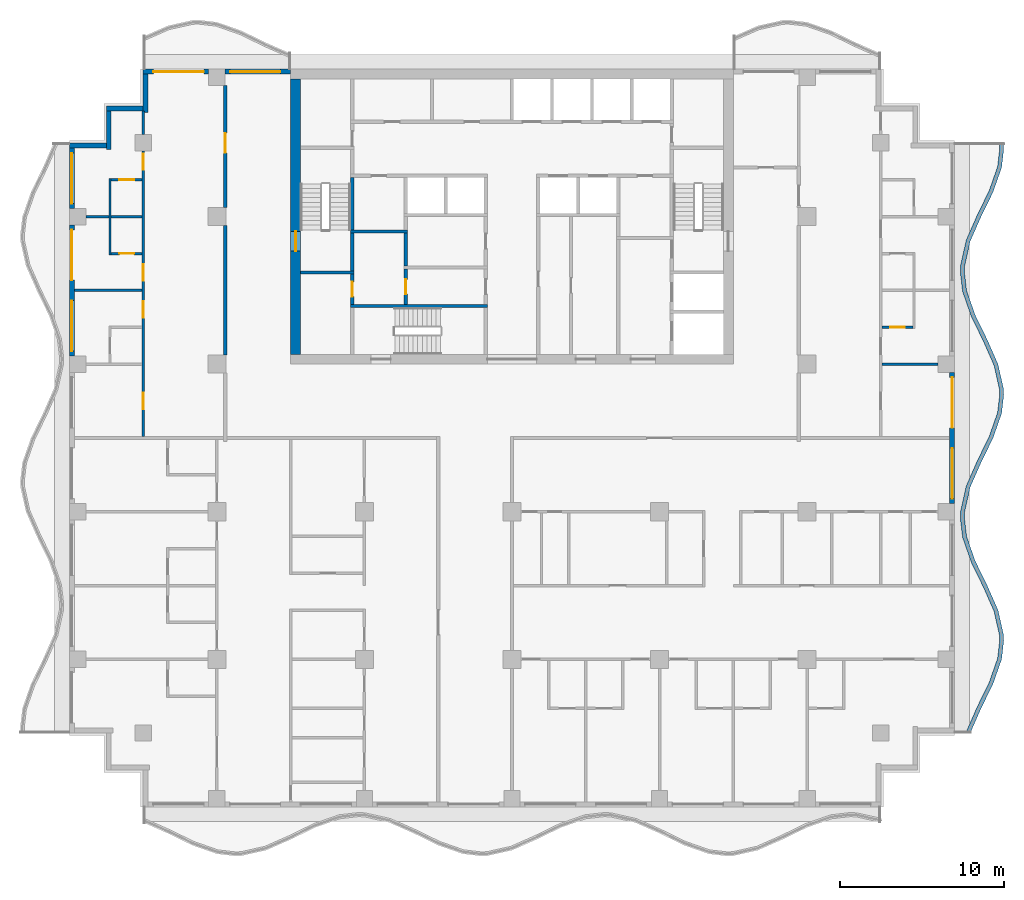
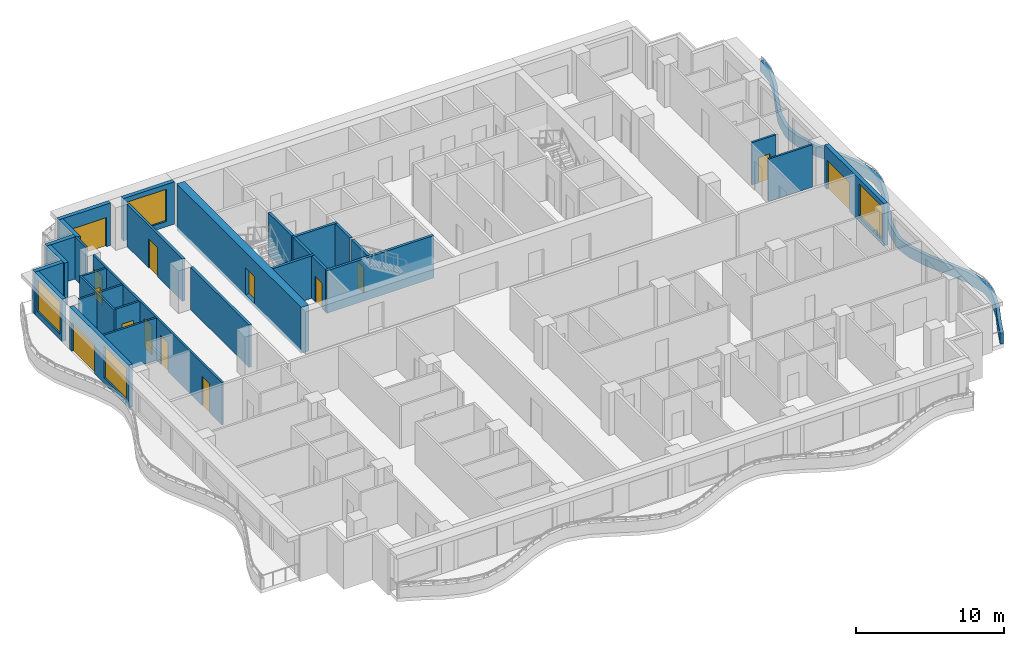
# One storey, part 5 of 12: 31 walls, 14 doors, 4 windows, 18 openings.
"""IFC4 building model written with IfcOpenShell, lengths in metres."""

from ifc_helpers import new_model, si_unit, direction, frame, frame_2d, origin, place, context, subcontext, project, spatial, polyline, rectangle, outline, extrude, material, layer, layer_set, type_object, element, fill, save


model = new_model("IFC4")

# Units and contexts
model_context = context("Model", 3, precision=1e-05, world=origin(), true_north=direction((0.0, 1.0)))
body_context = subcontext(model_context, "Body", "Model", "MODEL_VIEW")
ifc_project = project(units=[si_unit("LENGTHUNIT", "METRE"), si_unit("AREAUNIT", "SQUARE_METRE"), si_unit("VOLUMEUNIT", "CUBIC_METRE"), si_unit("PLANEANGLEUNIT", "RADIAN"), si_unit("MASSUNIT", "GRAM", prefix="KILO")], contexts=[model_context])

# Site, building, storey
site_placement = place(None, origin())
site = spatial("IfcSite", under=ifc_project, at=site_placement, CompositionType="ELEMENT")
building_placement = place(site_placement, origin())
building = spatial("IfcBuilding", under=site, at=building_placement, Name="Orbiselva Terraces", CompositionType="ELEMENT")
storey_placement = place(building_placement, frame((0.0, 0.0, 207.2)))
storey = spatial("IfcBuildingStorey", under=building, at=storey_placement, Name="L52", CompositionType="ELEMENT", Elevation=207.2)

# Wall, opening, door
ifc_material_1 = material(Name="Concrete C80/95", Category="concrete")
ifc_layer_1 = layer(ifc_material_1, 0.6)
ifc_layer_set_1 = layer_set([ifc_layer_1], Name="Concrete C80/95")
wall_type_1 = type_object("IfcWallType", Name="CORE WALL 600", PredefinedType="SHEAR", material=ifc_layer_set_1)
wall_1_placement = place(storey_placement, frame((-13.2, 21.9, -0.3), z_axis=(0.0, 0.0, 1.0), x_axis=(0.0, -1.0, 0.0)))
wall_1 = element("IfcWall", 1, at=wall_1_placement, inside=storey, type_object=wall_type_1, Name="Core wall L52 west", PredefinedType="SHEAR", context=body_context, shape_type="SweptSolid", body=[
    extrude(rectangle(XDim=16.8, YDim=0.6, at=frame_2d((8.4, 0.0))), origin(), (0.0, 0.0, 1.0), 3.8),
])
opening_1_placement = place(wall_1_placement, frame((9.3, 0.0, 0.3)))
opening_1 = element("IfcOpeningElement", 2, at=opening_1_placement, cuts=wall_1, Name="Opening DS1200", PredefinedType="OPENING", context=body_context, shape_type="SweptSolid", body=[
    extrude(rectangle(XDim=1.2, YDim=2.2, at=frame_2d((0.6, 1.1))), frame((0.0, 0.31, 0.0), z_axis=(0.0, -1.0, 0.0), x_axis=(1.0, 0.0, 0.0)), (0.0, 0.0, 1.0), 0.62),
])
ifc_material_2 = material(Name="Steel fire door", Category="steel")
door_type_1 = type_object("IfcDoorType", Name="STAIR DOOR 1200", OperationType="NOTDEFINED", PredefinedType="DOOR", material=ifc_material_2)
door_1_placement = place(opening_1_placement, frame((1.2, 0.0, 0.0), z_axis=(0.0, 0.0, 1.0), x_axis=(-1.0, 0.0, 0.0)))
door_1 = element("IfcDoor", 3, at=door_1_placement, inside=storey, type_object=door_type_1, Name="L52 EXIT STAIR S1 door", OperationType="SINGLE_SWING_RIGHT", OverallHeight=2.2, OverallWidth=1.2, PredefinedType="DOOR", context=body_context, shape_type="SweptSolid", body=[
    extrude(rectangle(XDim=1.2, YDim=2.2, at=frame_2d((0.6, 1.1))), frame((0.0, 0.025, 0.0), z_axis=(0.0, -1.0, 0.0), x_axis=(1.0, 0.0, 0.0)), (0.0, 0.0, 1.0), 0.05),
])
fill(opening_1, door_1)

ifc_material_3 = material(Name="Masonry blockwork", Category="masonry")
ifc_layer_2 = layer(ifc_material_3, 0.2)
ifc_layer_set_2 = layer_set([ifc_layer_2], Name="Masonry blockwork")
wall_type_2 = type_object("IfcWallType", Name="CORE-WALL-PARTITION-200", PredefinedType="PARTITIONING", material=ifc_layer_set_2)
wall_2_placement = place(storey_placement, frame((-9.75, 8.15, 0.0), z_axis=(0.0, 0.0, 1.0), x_axis=(0.0, 1.0, 0.0)))
wall_2 = element("IfcWall", 4, at=wall_2_placement, inside=storey, type_object=wall_type_2, Name="L52 core wall 05", PredefinedType="PARTITIONING", context=body_context, shape_type="SweptSolid", body=[
    extrude(rectangle(XDim=1.85, YDim=0.2, at=frame_2d((0.925, 0.0))), origin(), (0.0, 0.0, 1.0), 3.5),
])
opening_2_placement = place(wall_2_placement, frame((0.475, 0.0, 0.0)))
opening_2 = element("IfcOpeningElement", 5, at=opening_2_placement, cuts=wall_2, Name="Opening DR900", PredefinedType="OPENING", context=body_context, shape_type="SweptSolid", body=[
    extrude(rectangle(XDim=0.9, YDim=2.1, at=frame_2d((0.45, 1.05))), frame((0.0, 0.11, 0.0), z_axis=(0.0, -1.0, 0.0), x_axis=(1.0, 0.0, 0.0)), (0.0, 0.0, 1.0), 0.22),
])
door_type_2 = type_object("IfcDoorType", Name="ROOM DOOR 900", OperationType="NOTDEFINED", PredefinedType="DOOR", material=ifc_material_2)
door_2_placement = place(opening_2_placement, origin())
door_2 = element("IfcDoor", 6, at=door_2_placement, inside=storey, type_object=door_type_2, Name="L52 CLEANERS STORE door", OperationType="SINGLE_SWING_RIGHT", OverallHeight=2.1, OverallWidth=0.9, PredefinedType="DOOR", context=body_context, shape_type="SweptSolid", body=[
    extrude(rectangle(XDim=0.9, YDim=2.1, at=frame_2d((0.45, 1.05))), frame((0.0, 0.025, 0.0), z_axis=(0.0, -1.0, 0.0), x_axis=(1.0, 0.0, 0.0)), (0.0, 0.0, 1.0), 0.05),
])
fill(opening_2, door_2)

wall_3_placement = place(storey_placement, frame((-6.475, 8.15, 0.0), z_axis=(0.0, 0.0, 1.0), x_axis=(0.0, 1.0, 0.0)))
wall_3 = element("IfcWall", 7, at=wall_3_placement, inside=storey, type_object=wall_type_2, Name="L52 core wall 14", PredefinedType="PARTITIONING", context=body_context, shape_type="SweptSolid", body=[
    extrude(rectangle(XDim=2.15, YDim=0.2, at=frame_2d((1.075, 0.0))), origin(), (0.0, 0.0, 1.0), 3.5),
])
opening_3_placement = place(wall_3_placement, frame((0.625, 0.0, 0.0)))
opening_3 = element("IfcOpeningElement", 8, at=opening_3_placement, cuts=wall_3, Name="Opening DR900", PredefinedType="OPENING", context=body_context, shape_type="SweptSolid", body=[
    extrude(rectangle(XDim=0.9, YDim=2.1, at=frame_2d((0.45, 1.05))), frame((0.0, 0.11, 0.0), z_axis=(0.0, -1.0, 0.0), x_axis=(1.0, 0.0, 0.0)), (0.0, 0.0, 1.0), 0.22),
])
door_3_placement = place(opening_3_placement, origin())
door_3 = element("IfcDoor", 9, at=door_3_placement, inside=storey, type_object=door_type_2, Name="L52 STAFF ROOM door", OperationType="SINGLE_SWING_LEFT", OverallHeight=2.1, OverallWidth=0.9, PredefinedType="DOOR", context=body_context, shape_type="SweptSolid", body=[
    extrude(rectangle(XDim=0.9, YDim=2.1, at=frame_2d((0.45, 1.05))), frame((0.0, 0.025, 0.0), z_axis=(0.0, -1.0, 0.0), x_axis=(1.0, 0.0, 0.0)), (0.0, 0.0, 1.0), 0.05),
])
fill(opening_3, door_3)

# Walls
wall_4_placement = place(storey_placement, frame((-6.475, 10.5, 0.0), z_axis=(0.0, 0.0, 1.0), x_axis=(0.0, 1.0, 0.0)))
element("IfcWall", 10, at=wall_4_placement, inside=storey, type_object=wall_type_2, Name="L52 core wall 16", PredefinedType="PARTITIONING", context=body_context, shape_type="SweptSolid", body=[
    extrude(rectangle(XDim=2.0, YDim=0.2, at=frame_2d((1.0, 0.0))), origin(), (0.0, 0.0, 1.0), 3.5),
])
ifc_material_4 = material(Name="Concrete C60/75", Category="concrete")
ifc_layer_3 = layer(ifc_material_4, 0.2)
ifc_layer_set_3 = layer_set([ifc_layer_3], Name="Concrete C60/75")
wall_type_3 = type_object("IfcWallType", Name="CORE-WALL-SHEAR-200", PredefinedType="SHEAR", material=ifc_layer_set_3)
wall_5_placement = place(storey_placement, frame((-12.9, 10.1, 0.0), z_axis=(0.0, 0.0, 1.0), x_axis=(1.0, 0.0, 0.0)))
element("IfcWall", 11, at=wall_5_placement, inside=storey, type_object=wall_type_3, Name="L52 core wall 01", PredefinedType="SHEAR", context=body_context, shape_type="SweptSolid", body=[
    extrude(rectangle(XDim=3.25, YDim=0.2, at=frame_2d((1.625, 0.0))), origin(), (0.0, 0.0, 1.0), 3.5),
])
wall_6_placement = place(storey_placement, frame((-9.85, 8.05, 0.0), z_axis=(0.0, 0.0, 1.0), x_axis=(1.0, 0.0, 0.0)))
element("IfcWall", 12, at=wall_6_placement, inside=storey, type_object=wall_type_3, Name="L52 core wall 04", PredefinedType="SHEAR", context=body_context, shape_type="SweptSolid", body=[
    extrude(rectangle(XDim=8.35, YDim=0.2, at=frame_2d((4.175, 0.0))), origin(), (0.0, 0.0, 1.0), 3.5),
])
wall_7_placement = place(storey_placement, frame((-9.75, 10.2, 0.0), z_axis=(0.0, 0.0, 1.0), x_axis=(0.0, 1.0, 0.0)))
element("IfcWall", 13, at=wall_7_placement, inside=storey, type_object=wall_type_3, Name="L52 core wall 06", PredefinedType="SHEAR", context=body_context, shape_type="SweptSolid", body=[
    extrude(rectangle(XDim=2.3, YDim=0.2, at=frame_2d((1.15, 0.0))), origin(), (0.0, 0.0, 1.0), 3.5),
])
wall_8_placement = place(storey_placement, frame((-9.85, 12.6, 0.0), z_axis=(0.0, 0.0, 1.0), x_axis=(1.0, 0.0, 0.0)))
element("IfcWall", 14, at=wall_8_placement, inside=storey, type_object=wall_type_3, Name="L52 core wall 07", PredefinedType="SHEAR", context=body_context, shape_type="SweptSolid", body=[
    extrude(rectangle(XDim=3.475, YDim=0.2, at=frame_2d((1.7375, 0.0))), origin(), (0.0, 0.0, 1.0), 3.5),
])
wall_9_placement = place(storey_placement, frame((-9.75, 12.7, 0.0), z_axis=(0.0, 0.0, 1.0), x_axis=(0.0, 1.0, 0.0)))
element("IfcWall", 15, at=wall_9_placement, inside=storey, type_object=wall_type_3, Name="L52 core wall 08", PredefinedType="SHEAR", context=body_context, shape_type="SweptSolid", body=[
    extrude(rectangle(XDim=3.2, YDim=0.2, at=frame_2d((1.6, 0.0))), origin(), (0.0, 0.0, 1.0), 3.5),
])
ifc_material_5 = material(Name="Concrete C40/50", Category="concrete")
ifc_layer_4 = layer(ifc_material_5, 0.25)
ifc_layer_set_4 = layer_set([ifc_layer_4], Name="Concrete C40/50")
wall_type_4 = type_object("IfcWallType", Name="ENV-PLANTER-250x900", PredefinedType="USERDEFINED", material=ifc_layer_set_4)
wall_10_placement = place(storey_placement, origin())
element("IfcWall", 16, at=wall_10_placement, inside=storey, type_object=wall_type_4, Name="Balcony planter L52 E", ObjectType="PLANTER", PredefinedType="USERDEFINED", context=body_context, shape_type="SweptSolid", body=[
    extrude(outline(polyline([(27.951472, -18.0), (28.612279, -16.5), (29.344789, -15.0), (29.869208, -13.5), (30.0, -12.375), (29.985226, -12.0), (29.648528, -10.5), (28.987721, -9.0), (28.255211, -7.5), (27.730792, -6.0), (27.6, -4.875), (27.614774, -4.5), (27.951472, -3.0), (28.612279, -1.5), (29.344789, 0.0), (29.869208, 1.5), (30.0, 2.625), (29.985226, 3.0), (29.648528, 4.5), (28.987721, 6.0), (28.255211, 7.5), (27.730792, 9.0), (27.6, 10.125), (27.614774, 10.5), (27.951472, 12.0), (28.612279, 13.5), (29.344789, 15.0), (29.869208, 16.5), (30.0, 17.625), (29.985226, 18.0), (29.73542, 17.990158), (29.749429, 17.634572), (29.624078, 16.556371), (29.113667, 15.09644), (28.385477, 13.605286), (27.712874, 12.078508), (27.365863, 10.532565), (27.349429, 10.115428), (27.485662, 8.943629), (28.024089, 7.40356), (28.760919, 5.894714), (29.40993, 4.421492), (29.736315, 2.967435), (29.749429, 2.634572), (29.624078, 1.556371), (29.113667, 0.09644), (28.385477, -1.394714), (27.712874, -2.921492), (27.365863, -4.467435), (27.349429, -4.884572), (27.485662, -6.056371), (28.024089, -7.59644), (28.760919, -9.105286), (29.40993, -10.578508), (29.736315, -12.032565), (29.749429, -12.365428), (29.624078, -13.443629), (29.113667, -14.90356), (28.385477, -16.394714), (27.722689, -17.899212), (27.951472, -18.0)])), origin(), (0.0, 0.0, 1.0), 0.9),
])

# Wall, openings, door, window
ifc_material_6 = material(Name="Terracotta cladding on masonry backing", Category="masonry")
ifc_layer_5 = layer(ifc_material_6, 0.3)
ifc_layer_set_5 = layer_set([ifc_layer_5], Name="Terracotta cladding on masonry backing")
wall_type_5 = type_object("IfcWallType", Name="ENV-WALL-TERRACOTTA-300", PredefinedType="SOLIDWALL", material=ifc_layer_set_5)
wall_11_placement = place(storey_placement, frame((26.85, 4.0, 0.0), z_axis=(0.0, 0.0, 1.0), x_axis=(0.0, -1.0, 0.0)))
wall_11 = element("IfcWall", 17, at=wall_11_placement, inside=storey, type_object=wall_type_5, Name="Facade wall L52 E", PredefinedType="SOLIDWALL", context=body_context, shape_type="SweptSolid", body=[
    extrude(rectangle(XDim=8.0, YDim=0.3, at=frame_2d((4.0, 0.0))), origin(), (0.0, 0.0, 1.0), 3.5),
])
opening_4_placement = place(wall_11_placement, frame((4.625, 0.0, 0.45)))
opening_4 = element("IfcOpeningElement", 18, at=opening_4_placement, cuts=wall_11, Name="Opening WN15", PredefinedType="OPENING", context=body_context, shape_type="SweptSolid", body=[
    extrude(rectangle(XDim=3.075, YDim=2.65, at=frame_2d((1.5375, 1.325))), frame((0.0, 0.16, 0.0), z_axis=(0.0, -1.0, 0.0), x_axis=(1.0, 0.0, 0.0)), (0.0, 0.0, 1.0), 0.32),
])
opening_5_placement = place(wall_11_placement, frame((0.3, 0.0, 0.0)))
opening_5 = element("IfcOpeningElement", 19, at=opening_5_placement, cuts=wall_11, Name="Opening Z4-C-E06", PredefinedType="OPENING", context=body_context, shape_type="SweptSolid", body=[
    extrude(rectangle(XDim=3.075, YDim=2.4, at=frame_2d((1.5375, 1.2))), frame((0.0, 0.16, 0.0), z_axis=(0.0, -1.0, 0.0), x_axis=(1.0, 0.0, 0.0)), (0.0, 0.0, 1.0), 0.32),
])
ifc_material_7 = material(Name="Clear low-e glazing in aluminium frame", Category="aluminium")
door_type_3 = type_object("IfcDoorType", Name="BALCONY DOOR 3075 X 2400", OperationType="DOUBLE_DOOR_SLIDING", PredefinedType="DOOR", material=ifc_material_7)
door_4_placement = place(opening_5_placement, origin())
door_4 = element("IfcDoor", 20, at=door_4_placement, inside=storey, type_object=door_type_3, Name="Z4-C-E06", OperationType="SINGLE_SWING_LEFT", OverallHeight=2.4, OverallWidth=3.075, PredefinedType="DOOR", context=body_context, shape_type="SweptSolid", body=[
    extrude(rectangle(XDim=3.075, YDim=2.4, at=frame_2d((1.5375, 1.2))), frame((0.0, 0.025, 0.0), z_axis=(0.0, -1.0, 0.0), x_axis=(1.0, 0.0, 0.0)), (0.0, 0.0, 1.0), 0.05),
])
fill(opening_5, door_4)
window_type = type_object("IfcWindowType", Name="WINDOW 3075 X 2650 S450", PartitioningType="TRIPLE_PANEL_VERTICAL", PredefinedType="WINDOW", material=ifc_material_7)
window_1_placement = place(opening_4_placement, origin())
window_1 = element("IfcWindow", 21, at=window_1_placement, inside=storey, type_object=window_type, Name="Window L52 E", OverallHeight=2.65, OverallWidth=3.075, PartitioningType="SINGLE_PANEL", PredefinedType="WINDOW", context=body_context, shape_type="SweptSolid", body=[
    extrude(rectangle(XDim=3.075, YDim=2.65, at=frame_2d((1.5375, 1.325))), frame((0.0, 0.03, 0.0), z_axis=(0.0, -1.0, 0.0), x_axis=(1.0, 0.0, 0.0)), (0.0, 0.0, 1.0), 0.06),
])
fill(opening_4, window_1)

# Wall, opening, window
wall_12_placement = place(storey_placement, frame((-17.5, 22.35, 0.0), z_axis=(0.0, 0.0, 1.0), x_axis=(1.0, 0.0, 0.0)))
wall_12 = element("IfcWall", 22, at=wall_12_placement, inside=storey, type_object=wall_type_5, Name="Facade wall L52 NW", PredefinedType="SOLIDWALL", context=body_context, shape_type="SweptSolid", body=[
    extrude(rectangle(XDim=4.0, YDim=0.3, at=frame_2d((2.0, 0.0))), origin(), (0.0, 0.0, 1.0), 3.5),
])
opening_6_placement = place(wall_12_placement, frame((0.3, 0.0, 0.45)))
opening_6 = element("IfcOpeningElement", 23, at=opening_6_placement, cuts=wall_12, Name="Opening WN15", PredefinedType="OPENING", context=body_context, shape_type="SweptSolid", body=[
    extrude(rectangle(XDim=3.075, YDim=2.65, at=frame_2d((1.5375, 1.325))), frame((0.0, 0.16, 0.0), z_axis=(0.0, -1.0, 0.0), x_axis=(1.0, 0.0, 0.0)), (0.0, 0.0, 1.0), 0.32),
])
window_2_placement = place(opening_6_placement, origin())
window_2 = element("IfcWindow", 24, at=window_2_placement, inside=storey, type_object=window_type, Name="Window L52 NW", OverallHeight=2.65, OverallWidth=3.075, PartitioningType="SINGLE_PANEL", PredefinedType="WINDOW", context=body_context, shape_type="SweptSolid", body=[
    extrude(rectangle(XDim=3.075, YDim=2.65, at=frame_2d((1.5375, 1.325))), frame((0.0, 0.03, 0.0), z_axis=(0.0, -1.0, 0.0), x_axis=(1.0, 0.0, 0.0)), (0.0, 0.0, 1.0), 0.06),
])
fill(opening_6, window_2)

# Wall, opening, door
wall_13_placement = place(storey_placement, frame((-22.5, 22.35, 0.0), z_axis=(0.0, 0.0, 1.0), x_axis=(1.0, 0.0, 0.0)))
wall_13 = element("IfcWall", 25, at=wall_13_placement, inside=storey, type_object=wall_type_5, Name="Facade wall L52 NW", PredefinedType="SOLIDWALL", context=body_context, shape_type="SweptSolid", body=[
    extrude(rectangle(XDim=4.0, YDim=0.3, at=frame_2d((2.0, 0.0))), origin(), (0.0, 0.0, 1.0), 3.5),
])
opening_7_placement = place(wall_13_placement, frame((0.625, 0.0, 0.0)))
opening_7 = element("IfcOpeningElement", 26, at=opening_7_placement, cuts=wall_13, Name="Opening Z4-C-E09", PredefinedType="OPENING", context=body_context, shape_type="SweptSolid", body=[
    extrude(rectangle(XDim=3.075, YDim=2.4, at=frame_2d((1.5375, 1.2))), frame((0.0, 0.16, 0.0), z_axis=(0.0, -1.0, 0.0), x_axis=(1.0, 0.0, 0.0)), (0.0, 0.0, 1.0), 0.32),
])
door_5_placement = place(opening_7_placement, origin())
door_5 = element("IfcDoor", 27, at=door_5_placement, inside=storey, type_object=door_type_3, Name="Z4-C-E09", OperationType="SINGLE_SWING_LEFT", OverallHeight=2.4, OverallWidth=3.075, PredefinedType="DOOR", context=body_context, shape_type="SweptSolid", body=[
    extrude(rectangle(XDim=3.075, YDim=2.4, at=frame_2d((1.5375, 1.2))), frame((0.0, 0.025, 0.0), z_axis=(0.0, -1.0, 0.0), x_axis=(1.0, 0.0, 0.0)), (0.0, 0.0, 1.0), 0.05),
])
fill(opening_7, door_5)

# Walls
wall_14_placement = place(storey_placement, frame((-22.35, 19.85, 0.0), z_axis=(0.0, 0.0, 1.0), x_axis=(0.0, 1.0, 0.0)))
element("IfcWall", 28, at=wall_14_placement, inside=storey, type_object=wall_type_5, Name="Facade wall L52 STEP", PredefinedType="SOLIDWALL", context=body_context, shape_type="SweptSolid", body=[
    extrude(rectangle(XDim=2.35, YDim=0.3, at=frame_2d((1.175, 0.0))), origin(), (0.0, 0.0, 1.0), 3.5),
])
wall_15_placement = place(storey_placement, frame((-24.75, 20.1, 0.0), z_axis=(0.0, 0.0, 1.0), x_axis=(1.0, 0.0, 0.0)))
element("IfcWall", 29, at=wall_15_placement, inside=storey, type_object=wall_type_5, Name="Facade wall L52 STEP", PredefinedType="SOLIDWALL", context=body_context, shape_type="SweptSolid", body=[
    extrude(rectangle(XDim=2.25, YDim=0.3, at=frame_2d((1.125, 0.0))), origin(), (0.0, 0.0, 1.0), 3.5),
])
wall_16_placement = place(storey_placement, frame((-24.6, 17.6, 0.0), z_axis=(0.0, 0.0, 1.0), x_axis=(0.0, 1.0, 0.0)))
element("IfcWall", 30, at=wall_16_placement, inside=storey, type_object=wall_type_5, Name="Facade wall L52 STEP", PredefinedType="SOLIDWALL", context=body_context, shape_type="SweptSolid", body=[
    extrude(rectangle(XDim=2.35, YDim=0.3, at=frame_2d((1.175, 0.0))), origin(), (0.0, 0.0, 1.0), 3.5),
])
wall_17_placement = place(storey_placement, frame((-27.0, 17.85, 0.0), z_axis=(0.0, 0.0, 1.0), x_axis=(1.0, 0.0, 0.0)))
element("IfcWall", 31, at=wall_17_placement, inside=storey, type_object=wall_type_5, Name="Facade wall L52 STEP", PredefinedType="SOLIDWALL", context=body_context, shape_type="SweptSolid", body=[
    extrude(rectangle(XDim=2.25, YDim=0.3, at=frame_2d((1.125, 0.0))), origin(), (0.0, 0.0, 1.0), 3.5),
])

# Wall, opening, window
wall_18_placement = place(storey_placement, frame((-26.85, 14.0, 0.0), z_axis=(0.0, 0.0, 1.0), x_axis=(0.0, 1.0, 0.0)))
wall_18 = element("IfcWall", 32, at=wall_18_placement, inside=storey, type_object=wall_type_5, Name="Facade wall L52 W", PredefinedType="SOLIDWALL", context=body_context, shape_type="SweptSolid", body=[
    extrude(rectangle(XDim=3.7, YDim=0.3, at=frame_2d((1.85, 0.0))), origin(), (0.0, 0.0, 1.0), 3.5),
])
opening_8_placement = place(wall_18_placement, frame((0.3, 0.0, 0.45)))
opening_8 = element("IfcOpeningElement", 33, at=opening_8_placement, cuts=wall_18, Name="Opening WN15", PredefinedType="OPENING", context=body_context, shape_type="SweptSolid", body=[
    extrude(rectangle(XDim=3.075, YDim=2.65, at=frame_2d((1.5375, 1.325))), frame((0.0, 0.16, 0.0), z_axis=(0.0, -1.0, 0.0), x_axis=(1.0, 0.0, 0.0)), (0.0, 0.0, 1.0), 0.32),
])
window_3_placement = place(opening_8_placement, origin())
window_3 = element("IfcWindow", 34, at=window_3_placement, inside=storey, type_object=window_type, Name="Window L52 W", OverallHeight=2.65, OverallWidth=3.075, PartitioningType="SINGLE_PANEL", PredefinedType="WINDOW", context=body_context, shape_type="SweptSolid", body=[
    extrude(rectangle(XDim=3.075, YDim=2.65, at=frame_2d((1.5375, 1.325))), frame((0.0, 0.03, 0.0), z_axis=(0.0, -1.0, 0.0), x_axis=(1.0, 0.0, 0.0)), (0.0, 0.0, 1.0), 0.06),
])
fill(opening_8, window_3)

# Wall, openings, door, window
wall_19_placement = place(storey_placement, frame((-26.85, 5.0, 0.0), z_axis=(0.0, 0.0, 1.0), x_axis=(0.0, 1.0, 0.0)))
wall_19 = element("IfcWall", 35, at=wall_19_placement, inside=storey, type_object=wall_type_5, Name="Facade wall L52 W", PredefinedType="SOLIDWALL", context=body_context, shape_type="SweptSolid", body=[
    extrude(rectangle(XDim=8.0, YDim=0.3, at=frame_2d((4.0, 0.0))), origin(), (0.0, 0.0, 1.0), 3.5),
])
opening_9_placement = place(wall_19_placement, frame((4.625, 0.0, 0.0)))
opening_9 = element("IfcOpeningElement", 36, at=opening_9_placement, cuts=wall_19, Name="Opening Z4-C-E10", PredefinedType="OPENING", context=body_context, shape_type="SweptSolid", body=[
    extrude(rectangle(XDim=3.075, YDim=2.4, at=frame_2d((1.5375, 1.2))), frame((0.0, 0.16, 0.0), z_axis=(0.0, -1.0, 0.0), x_axis=(1.0, 0.0, 0.0)), (0.0, 0.0, 1.0), 0.32),
])
opening_10_placement = place(wall_19_placement, frame((0.3, 0.0, 0.45)))
opening_10 = element("IfcOpeningElement", 37, at=opening_10_placement, cuts=wall_19, Name="Opening WN15", PredefinedType="OPENING", context=body_context, shape_type="SweptSolid", body=[
    extrude(rectangle(XDim=3.075, YDim=2.65, at=frame_2d((1.5375, 1.325))), frame((0.0, 0.16, 0.0), z_axis=(0.0, -1.0, 0.0), x_axis=(1.0, 0.0, 0.0)), (0.0, 0.0, 1.0), 0.32),
])
door_6_placement = place(opening_9_placement, origin())
door_6 = element("IfcDoor", 38, at=door_6_placement, inside=storey, type_object=door_type_3, Name="Z4-C-E10", OperationType="SINGLE_SWING_LEFT", OverallHeight=2.4, OverallWidth=3.075, PredefinedType="DOOR", context=body_context, shape_type="SweptSolid", body=[
    extrude(rectangle(XDim=3.075, YDim=2.4, at=frame_2d((1.5375, 1.2))), frame((0.0, 0.025, 0.0), z_axis=(0.0, -1.0, 0.0), x_axis=(1.0, 0.0, 0.0)), (0.0, 0.0, 1.0), 0.05),
])
fill(opening_9, door_6)
window_4_placement = place(opening_10_placement, origin())
window_4 = element("IfcWindow", 39, at=window_4_placement, inside=storey, type_object=window_type, Name="Window L52 W", OverallHeight=2.65, OverallWidth=3.075, PartitioningType="SINGLE_PANEL", PredefinedType="WINDOW", context=body_context, shape_type="SweptSolid", body=[
    extrude(rectangle(XDim=3.075, YDim=2.65, at=frame_2d((1.5375, 1.325))), frame((0.0, 0.03, 0.0), z_axis=(0.0, -1.0, 0.0), x_axis=(1.0, 0.0, 0.0)), (0.0, 0.0, 1.0), 0.06),
])
fill(opening_10, window_4)

# Wall
ifc_material_8 = material(Name="Plasterboard on steel stud partition", Category="steel")
ifc_layer_6 = layer(ifc_material_8, 0.2)
ifc_layer_set_6 = layer_set([ifc_layer_6], Name="Plasterboard on steel stud partition")
wall_type_6 = type_object("IfcWallType", Name="UNIT-ENTRANCE-WALL-200", PredefinedType="PARTITIONING", material=ifc_layer_set_6)
wall_20_placement = place(storey_placement, frame((-17.5, 5.05, 0.0), z_axis=(0.0, 0.0, 1.0), x_axis=(0.0, 1.0, 0.0)))
element("IfcWall", 40, at=wall_20_placement, inside=storey, type_object=wall_type_6, Name="PARTITION L52-060", PredefinedType="PARTITIONING", context=body_context, shape_type="SweptSolid", body=[
    extrude(rectangle(XDim=7.9, YDim=0.2, at=frame_2d((3.95, 0.0))), origin(), (0.0, 0.0, 1.0), 3.5),
])

# Wall, opening, door
wall_21_placement = place(storey_placement, frame((-17.5, 14.05, 0.0), z_axis=(0.0, 0.0, 1.0), x_axis=(0.0, 1.0, 0.0)))
wall_21 = element("IfcWall", 41, at=wall_21_placement, inside=storey, type_object=wall_type_6, Name="PARTITION L52-061", PredefinedType="PARTITIONING", context=body_context, shape_type="SweptSolid", body=[
    extrude(rectangle(XDim=7.45, YDim=0.2, at=frame_2d((3.725, 0.0))), origin(), (0.0, 0.0, 1.0), 3.5),
])
opening_11_placement = place(wall_21_placement, frame((3.35, 0.0, 0.0)))
opening_11 = element("IfcOpeningElement", 42, at=opening_11_placement, cuts=wall_21, Name="Opening Z4-C-02", PredefinedType="OPENING", context=body_context, shape_type="SweptSolid", body=[
    extrude(rectangle(XDim=1.2, YDim=2.4, at=frame_2d((0.6, 1.2))), frame((0.0, 0.11, 0.0), z_axis=(0.0, -1.0, 0.0), x_axis=(1.0, 0.0, 0.0)), (0.0, 0.0, 1.0), 0.22),
])
ifc_material_9 = material(Name="Painted timber door leaf", Category="wood")
door_type_4 = type_object("IfcDoorType", Name="ENTRANCE DOOR 1200", OperationType="NOTDEFINED", PredefinedType="DOOR", material=ifc_material_9)
door_7_placement = place(opening_11_placement, origin())
door_7 = element("IfcDoor", 43, at=door_7_placement, inside=storey, type_object=door_type_4, Name="Z4-C-02", OperationType="SINGLE_SWING_RIGHT", OverallHeight=2.4, OverallWidth=1.2, PredefinedType="DOOR", context=body_context, shape_type="SweptSolid", body=[
    extrude(rectangle(XDim=1.2, YDim=2.4, at=frame_2d((0.6, 1.2))), frame((0.0, 0.025, 0.0), z_axis=(0.0, -1.0, 0.0), x_axis=(1.0, 0.0, 0.0)), (0.0, 0.0, 1.0), 0.05),
])
fill(opening_11, door_7)

# Wall
ifc_layer_7 = layer(ifc_material_8, 0.15)
ifc_layer_set_7 = layer_set([ifc_layer_7], Name="Plasterboard on steel stud partition")
wall_type_7 = type_object("IfcWallType", Name="UNIT-PARTITION-150", PredefinedType="PARTITIONING", material=ifc_layer_set_7)
wall_22_placement = place(storey_placement, frame((22.575, 4.5, 0.0), z_axis=(0.0, 0.0, 1.0), x_axis=(1.0, 0.0, 0.0)))
element("IfcWall", 44, at=wall_22_placement, inside=storey, type_object=wall_type_7, Name="PARTITION L52-035", PredefinedType="PARTITIONING", context=body_context, shape_type="SweptSolid", body=[
    extrude(rectangle(XDim=3.425, YDim=0.15, at=frame_2d((1.7125, 0.0))), origin(), (0.0, 0.0, 1.0), 3.5),
])

# Wall, opening, door
wall_23_placement = place(storey_placement, frame((22.575, 6.75, 0.0), z_axis=(0.0, 0.0, 1.0), x_axis=(1.0, 0.0, 0.0)))
wall_23 = element("IfcWall", 45, at=wall_23_placement, inside=storey, type_object=wall_type_7, Name="PARTITION L52-037", PredefinedType="PARTITIONING", context=body_context, shape_type="SweptSolid", body=[
    extrude(rectangle(XDim=1.875, YDim=0.15, at=frame_2d((0.9375, 0.0))), origin(), (0.0, 0.0, 1.0), 3.5),
])
opening_12_placement = place(wall_23_placement, frame((0.5, 0.0, 0.0)))
opening_12 = element("IfcOpeningElement", 46, at=opening_12_placement, cuts=wall_23, Name="Opening Z4-C-13", PredefinedType="OPENING", context=body_context, shape_type="SweptSolid", body=[
    extrude(rectangle(XDim=0.9, YDim=2.1, at=frame_2d((0.45, 1.05))), frame((0.0, 0.085, 0.0), z_axis=(0.0, -1.0, 0.0), x_axis=(1.0, 0.0, 0.0)), (0.0, 0.0, 1.0), 0.17),
])
door_type_5 = type_object("IfcDoorType", Name="BATH DOOR 900", OperationType="NOTDEFINED", PredefinedType="DOOR", material=ifc_material_9)
door_8_placement = place(opening_12_placement, origin())
door_8 = element("IfcDoor", 47, at=door_8_placement, inside=storey, type_object=door_type_5, Name="Z4-C-13", OperationType="SINGLE_SWING_RIGHT", OverallHeight=2.1, OverallWidth=0.9, PredefinedType="DOOR", context=body_context, shape_type="SweptSolid", body=[
    extrude(rectangle(XDim=0.9, YDim=2.1, at=frame_2d((0.45, 1.05))), frame((0.0, 0.025, 0.0), z_axis=(0.0, -1.0, 0.0), x_axis=(1.0, 0.0, 0.0)), (0.0, 0.0, 1.0), 0.05),
])
fill(opening_12, door_8)

# Wall
wall_24_placement = place(storey_placement, frame((-26.7, 9.0, 0.0), z_axis=(0.0, 0.0, 1.0), x_axis=(1.0, 0.0, 0.0)))
element("IfcWall", 48, at=wall_24_placement, inside=storey, type_object=wall_type_7, Name="PARTITION L52-038", PredefinedType="PARTITIONING", context=body_context, shape_type="SweptSolid", body=[
    extrude(rectangle(XDim=4.125, YDim=0.15, at=frame_2d((2.0625, 0.0))), origin(), (0.0, 0.0, 1.0), 3.5),
])

# Wall, opening, door
wall_25_placement = place(storey_placement, frame((-24.45, 11.25, 0.0), z_axis=(0.0, 0.0, 1.0), x_axis=(1.0, 0.0, 0.0)))
wall_25 = element("IfcWall", 49, at=wall_25_placement, inside=storey, type_object=wall_type_7, Name="PARTITION L52-041", PredefinedType="PARTITIONING", context=body_context, shape_type="SweptSolid", body=[
    extrude(rectangle(XDim=1.875, YDim=0.15, at=frame_2d((0.9375, 0.0))), origin(), (0.0, 0.0, 1.0), 3.5),
])
opening_13_placement = place(wall_25_placement, frame((0.5, 0.0, 0.0)))
opening_13 = element("IfcOpeningElement", 50, at=opening_13_placement, cuts=wall_25, Name="Opening Z4-C-07", PredefinedType="OPENING", context=body_context, shape_type="SweptSolid", body=[
    extrude(rectangle(XDim=0.9, YDim=2.1, at=frame_2d((0.45, 1.05))), frame((0.0, 0.085, 0.0), z_axis=(0.0, -1.0, 0.0), x_axis=(1.0, 0.0, 0.0)), (0.0, 0.0, 1.0), 0.17),
])
door_9_placement = place(opening_13_placement, origin())
door_9 = element("IfcDoor", 51, at=door_9_placement, inside=storey, type_object=door_type_5, Name="Z4-C-07", OperationType="SINGLE_SWING_RIGHT", OverallHeight=2.1, OverallWidth=0.9, PredefinedType="DOOR", context=body_context, shape_type="SweptSolid", body=[
    extrude(rectangle(XDim=0.9, YDim=2.1, at=frame_2d((0.45, 1.05))), frame((0.0, 0.025, 0.0), z_axis=(0.0, -1.0, 0.0), x_axis=(1.0, 0.0, 0.0)), (0.0, 0.0, 1.0), 0.05),
])
fill(opening_13, door_9)

# Walls
wall_26_placement = place(storey_placement, frame((-26.0, 13.5, 0.0), z_axis=(0.0, 0.0, 1.0), x_axis=(1.0, 0.0, 0.0)))
element("IfcWall", 52, at=wall_26_placement, inside=storey, type_object=wall_type_7, Name="PARTITION L52-043", PredefinedType="PARTITIONING", context=body_context, shape_type="SweptSolid", body=[
    extrude(rectangle(XDim=1.4, YDim=0.15, at=frame_2d((0.7, 0.0))), origin(), (0.0, 0.0, 1.0), 3.5),
])
wall_27_placement = place(storey_placement, frame((-24.45, 13.5, 0.0), z_axis=(0.0, 0.0, 1.0), x_axis=(1.0, 0.0, 0.0)))
element("IfcWall", 53, at=wall_27_placement, inside=storey, type_object=wall_type_7, Name="PARTITION L52-044", PredefinedType="PARTITIONING", context=body_context, shape_type="SweptSolid", body=[
    extrude(rectangle(XDim=1.875, YDim=0.15, at=frame_2d((0.9375, 0.0))), origin(), (0.0, 0.0, 1.0), 3.5),
])

# Wall, opening, door
wall_28_placement = place(storey_placement, frame((-22.575, 15.75, 0.0), z_axis=(0.0, 0.0, 1.0), x_axis=(-1.0, 0.0, 0.0)))
wall_28 = element("IfcWall", 54, at=wall_28_placement, inside=storey, type_object=wall_type_7, Name="PARTITION L52-046", PredefinedType="PARTITIONING", context=body_context, shape_type="SweptSolid", body=[
    extrude(rectangle(XDim=1.875, YDim=0.15, at=frame_2d((0.9375, 0.0))), origin(), (0.0, 0.0, 1.0), 3.5),
])
opening_14_placement = place(wall_28_placement, frame((0.475, 0.0, 0.0)))
opening_14 = element("IfcOpeningElement", 55, at=opening_14_placement, cuts=wall_28, Name="Opening Z4-C-09", PredefinedType="OPENING", context=body_context, shape_type="SweptSolid", body=[
    extrude(rectangle(XDim=0.9, YDim=2.1, at=frame_2d((0.45, 1.05))), frame((0.0, 0.085, 0.0), z_axis=(0.0, -1.0, 0.0), x_axis=(1.0, 0.0, 0.0)), (0.0, 0.0, 1.0), 0.17),
])
door_10_placement = place(opening_14_placement, origin())
door_10 = element("IfcDoor", 56, at=door_10_placement, inside=storey, type_object=door_type_5, Name="Z4-C-09", OperationType="SINGLE_SWING_LEFT", OverallHeight=2.1, OverallWidth=0.9, PredefinedType="DOOR", context=body_context, shape_type="SweptSolid", body=[
    extrude(rectangle(XDim=0.9, YDim=2.1, at=frame_2d((0.45, 1.05))), frame((0.0, 0.025, 0.0), z_axis=(0.0, -1.0, 0.0), x_axis=(1.0, 0.0, 0.0)), (0.0, 0.0, 1.0), 0.05),
])
fill(opening_14, door_10)

# Wall
wall_29_placement = place(storey_placement, frame((-24.525, 11.175, 0.0), z_axis=(0.0, 0.0, 1.0), x_axis=(0.0, 1.0, 0.0)))
element("IfcWall", 57, at=wall_29_placement, inside=storey, type_object=wall_type_7, Name="PARTITION L52-050", PredefinedType="PARTITIONING", context=body_context, shape_type="SweptSolid", body=[
    extrude(rectangle(XDim=4.65, YDim=0.15, at=frame_2d((2.325, 0.0))), origin(), (0.0, 0.0, 1.0), 3.5),
])

# Wall, openings, doors
wall_30_placement = place(storey_placement, frame((-22.5, 0.1, 0.0), z_axis=(0.0, 0.0, 1.0), x_axis=(0.0, 1.0, 0.0)))
wall_30 = element("IfcWall", 58, at=wall_30_placement, inside=storey, type_object=wall_type_7, Name="PARTITION L52-051", PredefinedType="PARTITIONING", context=body_context, shape_type="SweptSolid", body=[
    extrude(rectangle(XDim=17.4, YDim=0.15, at=frame_2d((8.7, 0.0))), origin(), (0.0, 0.0, 1.0), 3.5),
])
opening_15_placement = place(wall_30_placement, frame((1.65, 0.0, 0.0)))
opening_15 = element("IfcOpeningElement", 59, at=opening_15_placement, cuts=wall_30, Name="Opening Z4-C-03", PredefinedType="OPENING", context=body_context, shape_type="SweptSolid", body=[
    extrude(rectangle(XDim=1.0, YDim=2.4, at=frame_2d((0.5, 1.2))), frame((0.0, 0.085, 0.0), z_axis=(0.0, -1.0, 0.0), x_axis=(1.0, 0.0, 0.0)), (0.0, 0.0, 1.0), 0.17),
])
opening_16_placement = place(wall_30_placement, frame((7.25, 0.0, 0.0)))
opening_16 = element("IfcOpeningElement", 60, at=opening_16_placement, cuts=wall_30, Name="Opening Z4-C-04", PredefinedType="OPENING", context=body_context, shape_type="SweptSolid", body=[
    extrude(rectangle(XDim=1.0, YDim=2.4, at=frame_2d((0.5, 1.2))), frame((0.0, 0.085, 0.0), z_axis=(0.0, -1.0, 0.0), x_axis=(1.0, 0.0, 0.0)), (0.0, 0.0, 1.0), 0.17),
])
opening_17_placement = place(wall_30_placement, frame((9.5, 0.0, 0.0)))
opening_17 = element("IfcOpeningElement", 61, at=opening_17_placement, cuts=wall_30, Name="Opening Z4-C-06", PredefinedType="OPENING", context=body_context, shape_type="SweptSolid", body=[
    extrude(rectangle(XDim=1.0, YDim=2.4, at=frame_2d((0.5, 1.2))), frame((0.0, 0.085, 0.0), z_axis=(0.0, -1.0, 0.0), x_axis=(1.0, 0.0, 0.0)), (0.0, 0.0, 1.0), 0.17),
])
opening_18_placement = place(wall_30_placement, frame((16.25, 0.0, 0.0)))
opening_18 = element("IfcOpeningElement", 62, at=opening_18_placement, cuts=wall_30, Name="Opening Z4-C-08", PredefinedType="OPENING", context=body_context, shape_type="SweptSolid", body=[
    extrude(rectangle(XDim=1.0, YDim=2.4, at=frame_2d((0.5, 1.2))), frame((0.0, 0.085, 0.0), z_axis=(0.0, -1.0, 0.0), x_axis=(1.0, 0.0, 0.0)), (0.0, 0.0, 1.0), 0.17),
])
door_type_6 = type_object("IfcDoorType", Name="ROOM DOOR 1000", OperationType="NOTDEFINED", PredefinedType="DOOR", material=ifc_material_9)
door_11_placement = place(opening_15_placement, origin())
door_11 = element("IfcDoor", 63, at=door_11_placement, inside=storey, type_object=door_type_6, Name="Z4-C-03", OperationType="SINGLE_SWING_LEFT", OverallHeight=2.4, OverallWidth=1.0, PredefinedType="DOOR", context=body_context, shape_type="SweptSolid", body=[
    extrude(rectangle(XDim=1.0, YDim=2.4, at=frame_2d((0.5, 1.2))), frame((0.0, 0.025, 0.0), z_axis=(0.0, -1.0, 0.0), x_axis=(1.0, 0.0, 0.0)), (0.0, 0.0, 1.0), 0.05),
])
fill(opening_15, door_11)
door_12_placement = place(opening_16_placement, origin())
door_12 = element("IfcDoor", 64, at=door_12_placement, inside=storey, type_object=door_type_6, Name="Z4-C-04", OperationType="SINGLE_SWING_LEFT", OverallHeight=2.4, OverallWidth=1.0, PredefinedType="DOOR", context=body_context, shape_type="SweptSolid", body=[
    extrude(rectangle(XDim=1.0, YDim=2.4, at=frame_2d((0.5, 1.2))), frame((0.0, 0.025, 0.0), z_axis=(0.0, -1.0, 0.0), x_axis=(1.0, 0.0, 0.0)), (0.0, 0.0, 1.0), 0.05),
])
fill(opening_16, door_12)
door_13_placement = place(opening_17_placement, origin())
door_13 = element("IfcDoor", 65, at=door_13_placement, inside=storey, type_object=door_type_6, Name="Z4-C-06", OperationType="SINGLE_SWING_RIGHT", OverallHeight=2.4, OverallWidth=1.0, PredefinedType="DOOR", context=body_context, shape_type="SweptSolid", body=[
    extrude(rectangle(XDim=1.0, YDim=2.4, at=frame_2d((0.5, 1.2))), frame((0.0, 0.025, 0.0), z_axis=(0.0, -1.0, 0.0), x_axis=(1.0, 0.0, 0.0)), (0.0, 0.0, 1.0), 0.05),
])
fill(opening_17, door_13)
door_14_placement = place(opening_18_placement, origin())
door_14 = element("IfcDoor", 66, at=door_14_placement, inside=storey, type_object=door_type_6, Name="Z4-C-08", OperationType="SINGLE_SWING_RIGHT", OverallHeight=2.4, OverallWidth=1.0, PredefinedType="DOOR", context=body_context, shape_type="SweptSolid", body=[
    extrude(rectangle(XDim=1.0, YDim=2.4, at=frame_2d((0.5, 1.2))), frame((0.0, 0.025, 0.0), z_axis=(0.0, -1.0, 0.0), x_axis=(1.0, 0.0, 0.0)), (0.0, 0.0, 1.0), 0.05),
])
fill(opening_18, door_14)

# Wall
wall_31_placement = place(storey_placement, frame((-22.5, 18.5, 0.0), z_axis=(0.0, 0.0, 1.0), x_axis=(0.0, 1.0, 0.0)))
element("IfcWall", 67, at=wall_31_placement, inside=storey, type_object=wall_type_7, Name="PARTITION L52-052", PredefinedType="PARTITIONING", context=body_context, shape_type="SweptSolid", body=[
    extrude(rectangle(XDim=1.45, YDim=0.15, at=frame_2d((0.725, 0.0))), origin(), (0.0, 0.0, 1.0), 3.5),
])

save(model, "model.ifc")
